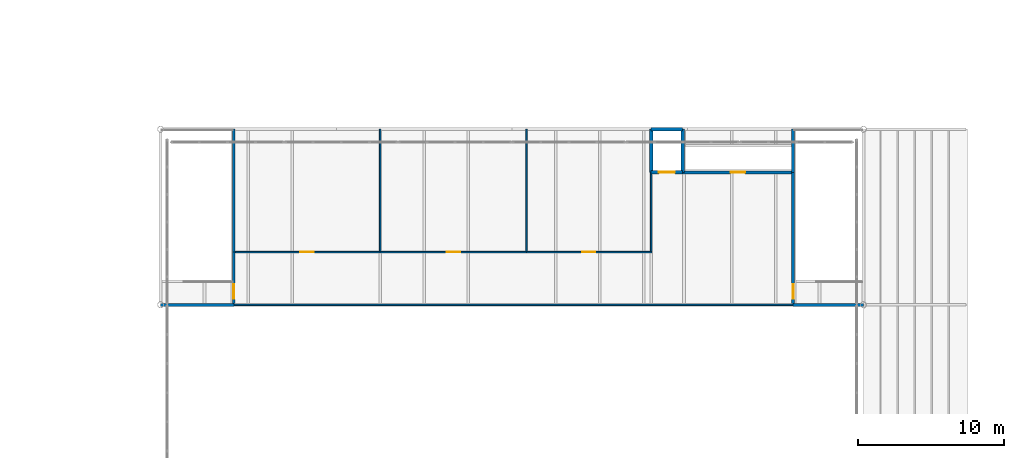
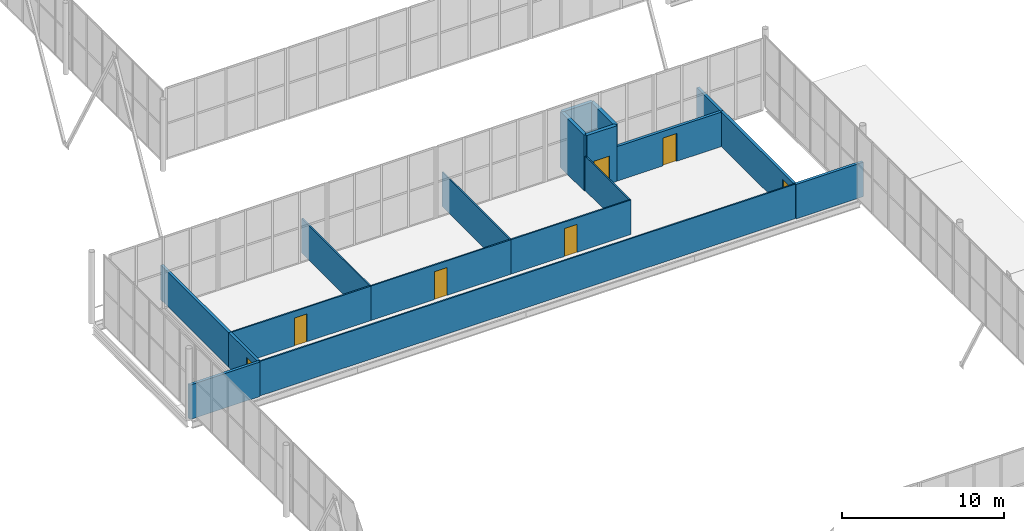
# One storey, part 109 of 170: 18 walls, 7 doors, 7 openings.
"""IFC4 building model written with IfcOpenShell, lengths in metres."""

from ifc_helpers import new_model, si_unit, direction, frame, frame_2d, origin, place, context, subcontext, project, spatial, rectangle, extrude, material, layer, layer_set, type_object, element, fill, save


model = new_model("IFC4")

# Units and contexts
model_context = context("Model", 3, precision=1e-05, world=origin(), true_north=direction((0.0, 1.0)))
body_context = subcontext(model_context, "Body", "Model", "MODEL_VIEW")
ifc_project = project(units=[si_unit("LENGTHUNIT", "METRE"), si_unit("AREAUNIT", "SQUARE_METRE"), si_unit("VOLUMEUNIT", "CUBIC_METRE"), si_unit("PLANEANGLEUNIT", "RADIAN"), si_unit("MASSUNIT", "GRAM", prefix="KILO")], contexts=[model_context])

# Site, building, storey
site_placement = place(None, origin())
site = spatial("IfcSite", under=ifc_project, at=site_placement, CompositionType="ELEMENT")
building_placement = place(site_placement, origin())
building = spatial("IfcBuilding", under=site, at=building_placement, Name="Ravi Spectrum Wholesale Market", CompositionType="ELEMENT")
storey_placement = place(building_placement, frame((0.0, 0.0, 5.39990234375)))
storey = spatial("IfcBuildingStorey", under=building, at=storey_placement, Name="L01", CompositionType="ELEMENT", Elevation=5.39990234375)

# Walls
ifc_material_1 = material(Name="Concrete blockwork", Category="masonry")
ifc_layer_1 = layer(ifc_material_1, 0.199951171875)
ifc_layer_set_1 = layer_set([ifc_layer_1], Name="Concrete blockwork")
wall_type_1 = type_object("IfcWallType", Name="Blockwork partition 200 fire", PredefinedType="PARTITIONING", material=ifc_layer_set_1)
wall_1_placement = place(storey_placement, frame((150.0, 114.0, 0.0), z_axis=(0.0, 0.0, 1.0), x_axis=(1.0, 0.0, 0.0)))
element("IfcWall", 1, at=wall_1_placement, inside=storey, type_object=wall_type_1, Name="H2-WL-L01-001", PredefinedType="PARTITIONING", context=body_context, shape_type="SweptSolid", body=[
    extrude(rectangle(XDim=5.0, YDim=0.199951171875, at=frame_2d((2.5, 0.0))), origin(), (0.0, 0.0, 1.0), 2.60009765625),
])
wall_2_placement = place(storey_placement, frame((193.199951171875, 114.0, 0.0), z_axis=(0.0, 0.0, 1.0), x_axis=(1.0, 0.0, 0.0)))
element("IfcWall", 2, at=wall_2_placement, inside=storey, type_object=wall_type_1, Name="H2-WL-L01-003", PredefinedType="PARTITIONING", context=body_context, shape_type="SweptSolid", body=[
    extrude(rectangle(XDim=4.800048828125, YDim=0.199951171875, at=frame_2d((2.39990234375, 0.0))), origin(), (0.0, 0.0, 1.0), 2.60009765625),
])

# Wall, opening, door
wall_3_placement = place(storey_placement, frame((185.64990234375, 123.050048828125, 0.0), z_axis=(0.0, 0.0, 1.0), x_axis=(1.0, 0.0, 0.0)))
wall_3 = element("IfcWall", 3, at=wall_3_placement, inside=storey, type_object=wall_type_1, Name="H2-WL-L01-007", PredefinedType="PARTITIONING", context=body_context, shape_type="SweptSolid", body=[
    extrude(rectangle(XDim=7.4501953125, YDim=0.199951171875, at=frame_2d((3.72509765625, 0.0))), origin(), (0.0, 0.0, 1.0), 2.60009765625),
])
opening_1_placement = place(wall_3_placement, frame((3.27490234375, 0.0, 0.0)))
opening_1 = element("IfcOpeningElement", 4, at=opening_1_placement, cuts=wall_3, Name="Opening D330", PredefinedType="OPENING", context=body_context, shape_type="SweptSolid", body=[
    extrude(rectangle(XDim=1.0, YDim=2.10009765625, at=frame_2d((0.5, 1.050048828125))), frame((0.0, 0.10986328125, 0.0), z_axis=(0.0, -1.0, 0.0), x_axis=(1.0, 0.0, 0.0)), (0.0, 0.0, 1.0), 0.219970703125),
])
ifc_material_2 = material(Name="Steel door", Category="steel")
door_type_1 = type_object("IfcDoorType", Name="Plant room door 1000 x 2100", OperationType="SINGLE_SWING_LEFT", PredefinedType="DOOR", material=ifc_material_2)
door_1_placement = place(opening_1_placement, origin())
door_1 = element("IfcDoor", 5, at=door_1_placement, inside=storey, type_object=door_type_1, Name="Riser access door D330", OperationType="SINGLE_SWING_LEFT", OverallHeight=2.10009765625, OverallWidth=1.0, PredefinedType="DOOR", context=body_context, shape_type="SweptSolid", body=[
    extrude(rectangle(XDim=1.0, YDim=2.10009765625, at=frame_2d((0.5, 1.050048828125))), frame((0.0, 0.02490234375, 0.0), z_axis=(0.0, -1.0, 0.0), x_axis=(1.0, 0.0, 0.0)), (0.0, 0.0, 1.0), 0.050048828125),
])
fill(opening_1, door_1)

wall_4_placement = place(storey_placement, frame((155.0, 114.10009765625, 0.0), z_axis=(0.0, 0.0, 1.0), x_axis=(0.0, 1.0, 0.0)))
wall_4 = element("IfcWall", 6, at=wall_4_placement, inside=storey, type_object=wall_type_1, Name="H2-WL-L01-008", PredefinedType="PARTITIONING", context=body_context, shape_type="SweptSolid", body=[
    extrude(rectangle(XDim=3.5, YDim=0.199951171875, at=frame_2d((1.75, 0.0))), origin(), (0.0, 0.0, 1.0), 2.60009765625),
])
opening_2_placement = place(wall_4_placement, frame((0.300048828125, 0.0, 0.0)))
opening_2 = element("IfcOpeningElement", 7, at=opening_2_placement, cuts=wall_4, Name="Opening D326", PredefinedType="OPENING", context=body_context, shape_type="SweptSolid", body=[
    extrude(rectangle(XDim=1.0, YDim=2.10009765625, at=frame_2d((0.5, 1.050048828125))), frame((0.0, 0.10986328125, 0.0), z_axis=(0.0, -1.0, 0.0), x_axis=(1.0, 0.0, 0.0)), (0.0, 0.0, 1.0), 0.219970703125),
])
ifc_material_3 = material(Name="Steel door", Category="steel")
door_type_2 = type_object("IfcDoorType", Name="Stair door 1000 x 2100", OperationType="SINGLE_SWING_LEFT", PredefinedType="DOOR", material=ifc_material_3)
door_2_placement = place(opening_2_placement, origin())
door_2 = element("IfcDoor", 8, at=door_2_placement, inside=storey, type_object=door_type_2, Name="Door D326", OperationType="SINGLE_SWING_LEFT", OverallHeight=2.10009765625, OverallWidth=1.0, PredefinedType="DOOR", context=body_context, shape_type="SweptSolid", body=[
    extrude(rectangle(XDim=1.0, YDim=2.10009765625, at=frame_2d((0.5, 1.050048828125))), frame((0.0, 0.02490234375, 0.0), z_axis=(0.0, -1.0, 0.0), x_axis=(1.0, 0.0, 0.0)), (0.0, 0.0, 1.0), 0.050048828125),
])
fill(opening_2, door_2)

# Wall
wall_5_placement = place(storey_placement, frame((155.0, 117.60009765625, 0.0), z_axis=(0.0, 0.0, 1.0), x_axis=(0.0, 1.0, 0.0)))
element("IfcWall", 9, at=wall_5_placement, inside=storey, type_object=wall_type_1, Name="H2-WL-L01-009", PredefinedType="PARTITIONING", context=body_context, shape_type="SweptSolid", body=[
    extrude(rectangle(XDim=8.39990234375, YDim=0.199951171875, at=frame_2d((4.199951171875, 0.0))), origin(), (0.0, 0.0, 1.0), 2.60009765625),
])

# Wall, opening, door
wall_6_placement = place(storey_placement, frame((193.199951171875, 114.10009765625, 0.0), z_axis=(0.0, 0.0, 1.0), x_axis=(0.0, 1.0, 0.0)))
wall_6 = element("IfcWall", 10, at=wall_6_placement, inside=storey, type_object=wall_type_1, Name="H2-WL-L01-013", PredefinedType="PARTITIONING", context=body_context, shape_type="SweptSolid", body=[
    extrude(rectangle(XDim=8.949951171875, YDim=0.199951171875, at=frame_2d((4.47509765625, 0.0))), origin(), (0.0, 0.0, 1.0), 2.60009765625),
])
opening_3_placement = place(wall_6_placement, frame((0.300048828125, 0.0, 0.0)))
opening_3 = element("IfcOpeningElement", 11, at=opening_3_placement, cuts=wall_6, Name="Opening D325", PredefinedType="OPENING", context=body_context, shape_type="SweptSolid", body=[
    extrude(rectangle(XDim=1.0, YDim=2.10009765625, at=frame_2d((0.5, 1.050048828125))), frame((0.0, 0.10986328125, 0.0), z_axis=(0.0, -1.0, 0.0), x_axis=(1.0, 0.0, 0.0)), (0.0, 0.0, 1.0), 0.219970703125),
])
door_3_placement = place(opening_3_placement, origin())
door_3 = element("IfcDoor", 12, at=door_3_placement, inside=storey, type_object=door_type_2, Name="Door D325", OperationType="SINGLE_SWING_RIGHT", OverallHeight=2.10009765625, OverallWidth=1.0, PredefinedType="DOOR", context=body_context, shape_type="SweptSolid", body=[
    extrude(rectangle(XDim=1.0, YDim=2.10009765625, at=frame_2d((0.5, 1.050048828125))), frame((0.0, 0.02490234375, 0.0), z_axis=(0.0, -1.0, 0.0), x_axis=(1.0, 0.0, 0.0)), (0.0, 0.0, 1.0), 0.050048828125),
])
fill(opening_3, door_3)

# Walls
wall_7_placement = place(storey_placement, frame((193.199951171875, 123.050048828125, 0.0), z_axis=(0.0, 0.0, 1.0), x_axis=(0.0, 1.0, 0.0)))
element("IfcWall", 13, at=wall_7_placement, inside=storey, type_object=wall_type_1, Name="H2-WL-L01-014", PredefinedType="PARTITIONING", context=body_context, shape_type="SweptSolid", body=[
    extrude(rectangle(XDim=2.949951171875, YDim=0.199951171875, at=frame_2d((1.47509765625, 0.0))), origin(), (0.0, 0.0, 1.0), 2.60009765625),
])
ifc_material_4 = material(Name="Gypsum board partition")
ifc_layer_2 = layer(ifc_material_4, 0.10009765625)
ifc_layer_set_2 = layer_set([ifc_layer_2], Name="Gypsum board partition")
wall_type_2 = type_object("IfcWallType", Name="Drywall partition 100", PredefinedType="PARTITIONING", material=ifc_layer_set_2)
wall_8_placement = place(storey_placement, frame((155.0, 114.0, 0.0), z_axis=(0.0, 0.0, 1.0), x_axis=(1.0, 0.0, 0.0)))
element("IfcWall", 14, at=wall_8_placement, inside=storey, type_object=wall_type_2, Name="H2-WL-L01-002", PredefinedType="PARTITIONING", context=body_context, shape_type="SweptSolid", body=[
    extrude(rectangle(XDim=38.199951171875, YDim=0.10009765625, at=frame_2d((19.10009765625, 0.0))), origin(), (0.0, 0.0, 1.0), 2.60009765625),
])

# Wall, opening, door
wall_9_placement = place(storey_placement, frame((155.10009765625, 117.60009765625, 0.0), z_axis=(0.0, 0.0, 1.0), x_axis=(1.0, 0.0, 0.0)))
wall_9 = element("IfcWall", 15, at=wall_9_placement, inside=storey, type_object=wall_type_2, Name="H2-WL-L01-004", PredefinedType="PARTITIONING", context=body_context, shape_type="SweptSolid", body=[
    extrude(rectangle(XDim=9.89990234375, YDim=0.10009765625, at=frame_2d((4.949951171875, 0.0))), origin(), (0.0, 0.0, 1.0), 2.60009765625),
])
opening_4_placement = place(wall_9_placement, frame((4.449951171875, 0.0, 0.0)))
opening_4 = element("IfcOpeningElement", 16, at=opening_4_placement, cuts=wall_9, Name="Opening D327", PredefinedType="OPENING", context=body_context, shape_type="SweptSolid", body=[
    extrude(rectangle(XDim=0.89990234375, YDim=2.10009765625, at=frame_2d((0.449951171875, 1.050048828125))), frame((0.0, 0.06005859375, 0.0), z_axis=(0.0, -1.0, 0.0), x_axis=(1.0, 0.0, 0.0)), (0.0, 0.0, 1.0), 0.1201171875),
])
ifc_material_5 = material(Name="Timber door", Category="wood")
door_type_3 = type_object("IfcDoorType", Name="Office door 900 x 2100", OperationType="SINGLE_SWING_LEFT", PredefinedType="DOOR", material=ifc_material_5)
door_4_placement = place(opening_4_placement, origin())
door_4 = element("IfcDoor", 17, at=door_4_placement, inside=storey, type_object=door_type_3, Name="Door D327", OperationType="SINGLE_SWING_RIGHT", OverallHeight=2.10009765625, OverallWidth=0.89990234375, PredefinedType="DOOR", context=body_context, shape_type="SweptSolid", body=[
    extrude(rectangle(XDim=0.89990234375, YDim=2.10009765625, at=frame_2d((0.449951171875, 1.050048828125))), frame((0.0, 0.02490234375, 0.0), z_axis=(0.0, -1.0, 0.0), x_axis=(1.0, 0.0, 0.0)), (0.0, 0.0, 1.0), 0.050048828125),
])
fill(opening_4, door_4)

wall_10_placement = place(storey_placement, frame((165.0, 117.60009765625, 0.0), z_axis=(0.0, 0.0, 1.0), x_axis=(1.0, 0.0, 0.0)))
wall_10 = element("IfcWall", 18, at=wall_10_placement, inside=storey, type_object=wall_type_2, Name="H2-WL-L01-005", PredefinedType="PARTITIONING", context=body_context, shape_type="SweptSolid", body=[
    extrude(rectangle(XDim=10.0, YDim=0.10009765625, at=frame_2d((5.0, 0.0))), origin(), (0.0, 0.0, 1.0), 2.60009765625),
])
opening_5_placement = place(wall_10_placement, frame((4.550048828125, 0.0, 0.0)))
opening_5 = element("IfcOpeningElement", 19, at=opening_5_placement, cuts=wall_10, Name="Opening D328", PredefinedType="OPENING", context=body_context, shape_type="SweptSolid", body=[
    extrude(rectangle(XDim=0.89990234375, YDim=2.10009765625, at=frame_2d((0.449951171875, 1.050048828125))), frame((0.0, 0.06005859375, 0.0), z_axis=(0.0, -1.0, 0.0), x_axis=(1.0, 0.0, 0.0)), (0.0, 0.0, 1.0), 0.1201171875),
])
door_5_placement = place(opening_5_placement, origin())
door_5 = element("IfcDoor", 20, at=door_5_placement, inside=storey, type_object=door_type_3, Name="Door D328", OperationType="SINGLE_SWING_RIGHT", OverallHeight=2.10009765625, OverallWidth=0.89990234375, PredefinedType="DOOR", context=body_context, shape_type="SweptSolid", body=[
    extrude(rectangle(XDim=0.89990234375, YDim=2.10009765625, at=frame_2d((0.449951171875, 1.050048828125))), frame((0.0, 0.02490234375, 0.0), z_axis=(0.0, -1.0, 0.0), x_axis=(1.0, 0.0, 0.0)), (0.0, 0.0, 1.0), 0.050048828125),
])
fill(opening_5, door_5)

wall_11_placement = place(storey_placement, frame((175.0, 117.60009765625, 0.0), z_axis=(0.0, 0.0, 1.0), x_axis=(1.0, 0.0, 0.0)))
wall_11 = element("IfcWall", 21, at=wall_11_placement, inside=storey, type_object=wall_type_2, Name="H2-WL-L01-006", PredefinedType="PARTITIONING", context=body_context, shape_type="SweptSolid", body=[
    extrude(rectangle(XDim=8.550048828125, YDim=0.10009765625, at=frame_2d((4.27490234375, 0.0))), origin(), (0.0, 0.0, 1.0), 2.60009765625),
])
opening_6_placement = place(wall_11_placement, frame((3.800048828125, 0.0, 0.0)))
opening_6 = element("IfcOpeningElement", 22, at=opening_6_placement, cuts=wall_11, Name="Opening D329", PredefinedType="OPENING", context=body_context, shape_type="SweptSolid", body=[
    extrude(rectangle(XDim=0.89990234375, YDim=2.10009765625, at=frame_2d((0.449951171875, 1.050048828125))), frame((0.0, 0.06005859375, 0.0), z_axis=(0.0, -1.0, 0.0), x_axis=(1.0, 0.0, 0.0)), (0.0, 0.0, 1.0), 0.1201171875),
])
door_6_placement = place(opening_6_placement, origin())
door_6 = element("IfcDoor", 23, at=door_6_placement, inside=storey, type_object=door_type_3, Name="Door D329", OperationType="SINGLE_SWING_RIGHT", OverallHeight=2.10009765625, OverallWidth=0.89990234375, PredefinedType="DOOR", context=body_context, shape_type="SweptSolid", body=[
    extrude(rectangle(XDim=0.89990234375, YDim=2.10009765625, at=frame_2d((0.449951171875, 1.050048828125))), frame((0.0, 0.02490234375, 0.0), z_axis=(0.0, -1.0, 0.0), x_axis=(1.0, 0.0, 0.0)), (0.0, 0.0, 1.0), 0.050048828125),
])
fill(opening_6, door_6)

# Walls
for number, where, z_axis, x_axis, name in (
    (24, (165.0, 117.64990234375, 0.0), (0.0, 0.0, 1.0), (0.0, 1.0, 0.0), "H2-WL-L01-010"),
    (25, (175.0, 117.64990234375, 0.0), (0.0, 0.0, 1.0), (0.0, 1.0, 0.0), "H2-WL-L01-011"),
):
    element("IfcWall", number, at=place(storey_placement, frame(where, z_axis=z_axis, x_axis=x_axis)), inside=storey, type_object=wall_type_2, Name=name, PredefinedType="PARTITIONING", context=body_context, shape_type="SweptSolid", body=[
        extrude(rectangle(XDim=8.35009765625, YDim=0.10009765625, at=frame_2d((4.175048828125, 0.0))), origin(), (0.0, 0.0, 1.0), 2.60009765625),
    ])
wall_12_placement = place(storey_placement, frame((183.5, 117.64990234375, 0.0), z_axis=(0.0, 0.0, 1.0), x_axis=(0.0, 1.0, 0.0)))
element("IfcWall", 26, at=wall_12_placement, inside=storey, type_object=wall_type_2, Name="H2-WL-L01-012", PredefinedType="PARTITIONING", context=body_context, shape_type="SweptSolid", body=[
    extrude(rectangle(XDim=5.400146484375, YDim=0.10009765625, at=frame_2d((2.7001953125, 0.0))), origin(), (0.0, 0.0, 1.0), 2.60009765625),
])
ifc_material_6 = material(Name="Concrete C35/45", Category="concrete")
ifc_layer_3 = layer(ifc_material_6, 0.25)
ifc_layer_set_3 = layer_set([ifc_layer_3], Name="Concrete C35/45")
wall_type_3 = type_object("IfcWallType", Name="Shaft wall 250", PredefinedType="SHEAR", material=ifc_layer_set_3)
wall_13_placement = place(storey_placement, frame((185.64990234375, 123.050048828125, 0.0), z_axis=(0.0, 0.0, 1.0), x_axis=(0.0, 1.0, 0.0)))
element("IfcWall", 27, at=wall_13_placement, inside=storey, type_object=wall_type_3, Name="H2-WL-L01-LF-H2-1-E", PredefinedType="SHEAR", context=body_context, shape_type="SweptSolid", body=[
    extrude(rectangle(XDim=2.949951171875, YDim=0.25, at=frame_2d((1.47509765625, 0.0))), origin(), (0.0, 0.0, 1.0), 4.2001953125),
])
wall_14_placement = place(storey_placement, frame((185.64990234375, 126.0, 0.0), z_axis=(0.0, 0.0, 1.0), x_axis=(-1.0, 0.0, 0.0)))
element("IfcWall", 28, at=wall_14_placement, inside=storey, type_object=wall_type_3, Name="H2-WL-L01-LF-H2-1-N", PredefinedType="SHEAR", context=body_context, shape_type="SweptSolid", body=[
    extrude(rectangle(XDim=2.14990234375, YDim=0.25, at=frame_2d((1.074951171875, 0.0))), origin(), (0.0, 0.0, 1.0), 4.2001953125),
])

# Wall, opening, door
wall_15_placement = place(storey_placement, frame((183.5, 123.050048828125, 0.0), z_axis=(0.0, 0.0, 1.0), x_axis=(1.0, 0.0, 0.0)))
wall_15 = element("IfcWall", 29, at=wall_15_placement, inside=storey, type_object=wall_type_3, Name="H2-WL-L01-LF-H2-1-S", PredefinedType="SHEAR", context=body_context, shape_type="SweptSolid", body=[
    extrude(rectangle(XDim=2.14990234375, YDim=0.25, at=frame_2d((1.074951171875, 0.0))), origin(), (0.0, 0.0, 1.0), 4.2001953125),
])
opening_7_placement = place(wall_15_placement, frame((0.52490234375, 0.0, 0.0)))
opening_7 = element("IfcOpeningElement", 30, at=opening_7_placement, cuts=wall_15, Name="Opening D332", PredefinedType="OPENING", context=body_context, shape_type="SweptSolid", body=[
    extrude(rectangle(XDim=1.10009765625, YDim=2.10009765625, at=frame_2d((0.550048828125, 1.050048828125))), frame((0.0, 0.135009765625, 0.0), z_axis=(0.0, -1.0, 0.0), x_axis=(1.0, 0.0, 0.0)), (0.0, 0.0, 1.0), 0.27001953125),
])
ifc_material_7 = material(Name="Stainless steel door", Category="steel")
door_type_4 = type_object("IfcDoorType", Name="Lift landing door 1100 x 2100", OperationType="SLIDING_TO_LEFT", PredefinedType="DOOR", material=ifc_material_7)
door_7_placement = place(opening_7_placement, origin())
door_7 = element("IfcDoor", 31, at=door_7_placement, inside=storey, type_object=door_type_4, Name="Landing door LF-H2-1 L01", OperationType="SLIDING_TO_LEFT", OverallHeight=2.10009765625, OverallWidth=1.10009765625, PredefinedType="DOOR", context=body_context, shape_type="SweptSolid", body=[
    extrude(rectangle(XDim=1.10009765625, YDim=2.10009765625, at=frame_2d((0.550048828125, 1.050048828125))), frame((0.0, 0.02490234375, 0.0), z_axis=(0.0, -1.0, 0.0), x_axis=(1.0, 0.0, 0.0)), (0.0, 0.0, 1.0), 0.050048828125),
])
fill(opening_7, door_7)

# Wall
wall_16_placement = place(storey_placement, frame((183.5, 126.0, 0.0), z_axis=(0.0, 0.0, 1.0), x_axis=(0.0, -1.0, 0.0)))
element("IfcWall", 32, at=wall_16_placement, inside=storey, type_object=wall_type_3, Name="H2-WL-L01-LF-H2-1-W", PredefinedType="SHEAR", context=body_context, shape_type="SweptSolid", body=[
    extrude(rectangle(XDim=2.949951171875, YDim=0.25, at=frame_2d((1.47509765625, 0.0))), origin(), (0.0, 0.0, 1.0), 4.2001953125),
])

save(model, "model.ifc")
